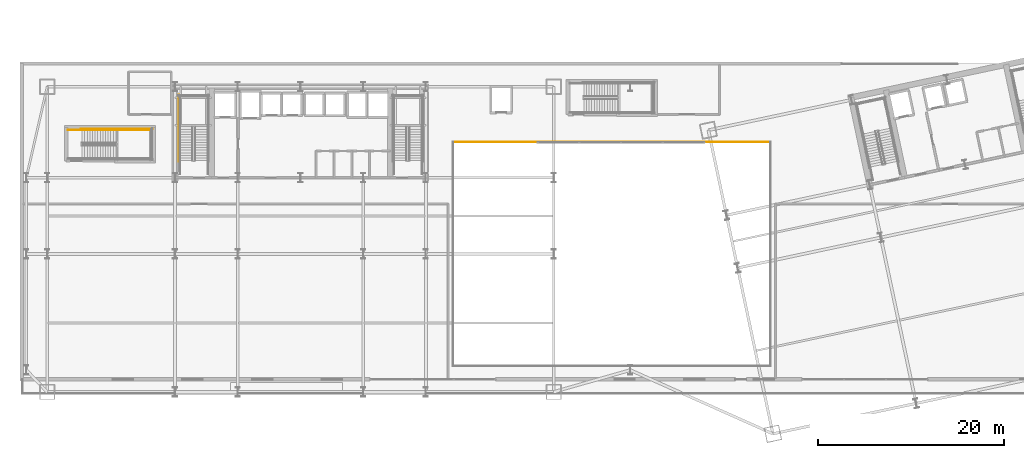
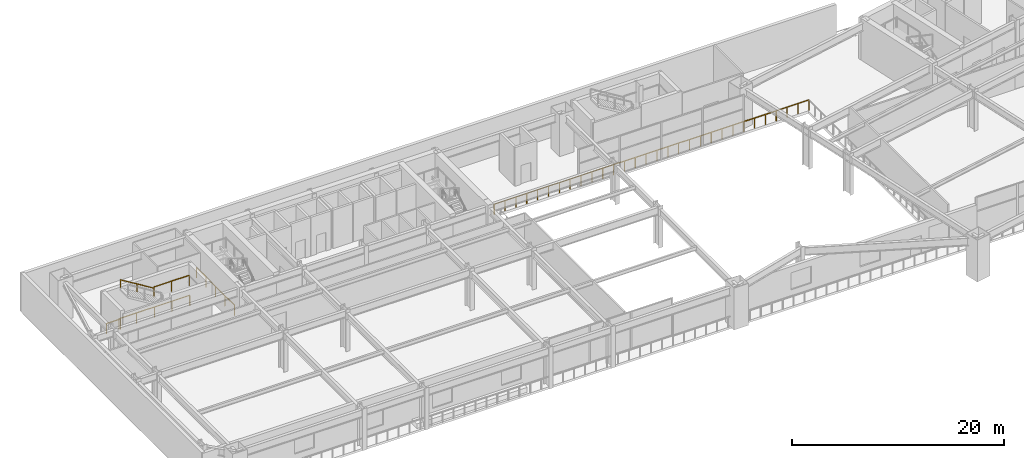
# One storey, part 28 of 35: 6 railings.
"""IFC4 building model written with IfcOpenShell, lengths in metres."""

from ifc_helpers import new_model, si_unit, direction, frame, origin, origin_2d, place, context, subcontext, project, spatial, rectangle, extrude, material, type_object, element, save


model = new_model("IFC4")

# Units and contexts
model_context = context("Model", 3, precision=1e-05, world=origin(), true_north=direction((0.0, 1.0)))
body_context = subcontext(model_context, "Body", "Model", "MODEL_VIEW")
ifc_project = project(units=[si_unit("LENGTHUNIT", "METRE"), si_unit("AREAUNIT", "SQUARE_METRE"), si_unit("VOLUMEUNIT", "CUBIC_METRE"), si_unit("PLANEANGLEUNIT", "RADIAN"), si_unit("MASSUNIT", "GRAM", prefix="KILO")], contexts=[model_context])

# Site, building, storey
site_placement = place(None, origin())
site = spatial("IfcSite", under=ifc_project, at=site_placement, CompositionType="ELEMENT")
building_placement = place(site_placement, origin())
building = spatial("IfcBuilding", under=site, at=building_placement, Name="Haevon Station Towers", CompositionType="ELEMENT")
storey_placement = place(building_placement, frame((0.0, 0.0, 20.39990234375)))
storey = spatial("IfcBuildingStorey", under=building, at=storey_placement, Name="L04", CompositionType="ELEMENT", Elevation=20.39990234375)

# Railings
ifc_material = material(Name="Steel S355", Category="steel")
railing_type_1 = type_object("IfcRailingType", Name="BAL-ATR1200", PredefinedType="BALUSTRADE", material=ifc_material)
railing_1_placement = place(storey_placement, frame((88.09814453125, 42.069091796875, 0.0)))
element("IfcRailing", 1, at=railing_1_placement, inside=storey, type_object=railing_type_1, Name="L04 Atrium Void Balustrade 3", PredefinedType="BALUSTRADE", context=body_context, shape_type="SweptSolid", body=[
    extrude(rectangle(XDim=0.048095703125, YDim=0.048095703125, at=origin_2d()), frame((0.0, 0.0, 1.17578125), z_axis=(-1.0, 0.0, 0.0), x_axis=(0.0, -1.0, 0.0)), (0.0, 0.0, 1.0), 34.1962890625),
    extrude(rectangle(XDim=0.0419921875, YDim=0.0419921875, at=origin_2d()), origin(), (0.0, 0.0, 1.0), 1.15185546875),
    extrude(rectangle(XDim=0.0419921875, YDim=0.0419921875, at=origin_2d()), frame((-1.17919921875, 0.0, 0.0)), (0.0, 0.0, 1.0), 1.15185546875),
    extrude(rectangle(XDim=0.0419921875, YDim=0.0419921875, at=origin_2d()), frame((-2.3583984375, 0.0, 0.0)), (0.0, 0.0, 1.0), 1.15185546875),
    extrude(rectangle(XDim=0.0419921875, YDim=0.0419921875, at=origin_2d()), frame((-3.53759765625, 0.0, 0.0)), (0.0, 0.0, 1.0), 1.15185546875),
    extrude(rectangle(XDim=0.0419921875, YDim=0.0419921875, at=origin_2d()), frame((-4.716796875, 0.0, 0.0)), (0.0, 0.0, 1.0), 1.15185546875),
    extrude(rectangle(XDim=0.0419921875, YDim=0.0419921875, at=origin_2d()), frame((-5.89599609375, 0.0, 0.0)), (0.0, 0.0, 1.0), 1.15185546875),
    extrude(rectangle(XDim=0.0419921875, YDim=0.0419921875, at=origin_2d()), frame((-7.0751953125, 0.0, 0.0)), (0.0, 0.0, 1.0), 1.15185546875),
    extrude(rectangle(XDim=0.0419921875, YDim=0.0419921875, at=origin_2d()), frame((-8.25439453125, 0.0, 0.0)), (0.0, 0.0, 1.0), 1.15185546875),
    extrude(rectangle(XDim=0.0419921875, YDim=0.0419921875, at=origin_2d()), frame((-9.433349609375, 0.0, 0.0)), (0.0, 0.0, 1.0), 1.15185546875),
    extrude(rectangle(XDim=0.0419921875, YDim=0.0419921875, at=origin_2d()), frame((-10.612548828125, 0.0, 0.0)), (0.0, 0.0, 1.0), 1.15185546875),
    extrude(rectangle(XDim=0.0419921875, YDim=0.0419921875, at=origin_2d()), frame((-11.791748046875, 0.0, 0.0)), (0.0, 0.0, 1.0), 1.15185546875),
    extrude(rectangle(XDim=0.0419921875, YDim=0.0419921875, at=origin_2d()), frame((-12.970947265625, 0.0, 0.0)), (0.0, 0.0, 1.0), 1.15185546875),
    extrude(rectangle(XDim=0.0419921875, YDim=0.0419921875, at=origin_2d()), frame((-14.150146484375, 0.0, 0.0)), (0.0, 0.0, 1.0), 1.15185546875),
    extrude(rectangle(XDim=0.0419921875, YDim=0.0419921875, at=origin_2d()), frame((-15.329345703125, 0.0, 0.0)), (0.0, 0.0, 1.0), 1.15185546875),
    extrude(rectangle(XDim=0.0419921875, YDim=0.0419921875, at=origin_2d()), frame((-16.508544921875, 0.0, 0.0)), (0.0, 0.0, 1.0), 1.15185546875),
    extrude(rectangle(XDim=0.0419921875, YDim=0.0419921875, at=origin_2d()), frame((-17.687744140625, 0.0, 0.0)), (0.0, 0.0, 1.0), 1.15185546875),
    extrude(rectangle(XDim=0.0419921875, YDim=0.0419921875, at=origin_2d()), frame((-18.866943359375, 0.0, 0.0)), (0.0, 0.0, 1.0), 1.15185546875),
    extrude(rectangle(XDim=0.0419921875, YDim=0.0419921875, at=origin_2d()), frame((-20.046142578125, 0.0, 0.0)), (0.0, 0.0, 1.0), 1.15185546875),
    extrude(rectangle(XDim=0.0419921875, YDim=0.0419921875, at=origin_2d()), frame((-21.225341796875, 0.0, 0.0)), (0.0, 0.0, 1.0), 1.15185546875),
    extrude(rectangle(XDim=0.0419921875, YDim=0.0419921875, at=origin_2d()), frame((-22.404541015625, 0.0, 0.0)), (0.0, 0.0, 1.0), 1.15185546875),
    extrude(rectangle(XDim=0.0419921875, YDim=0.0419921875, at=origin_2d()), frame((-23.583740234375, 0.0, 0.0)), (0.0, 0.0, 1.0), 1.15185546875),
    extrude(rectangle(XDim=0.0419921875, YDim=0.0419921875, at=origin_2d()), frame((-24.762939453125, 0.0, 0.0)), (0.0, 0.0, 1.0), 1.15185546875),
    extrude(rectangle(XDim=0.0419921875, YDim=0.0419921875, at=origin_2d()), frame((-25.94189453125, 0.0, 0.0)), (0.0, 0.0, 1.0), 1.15185546875),
    extrude(rectangle(XDim=0.0419921875, YDim=0.0419921875, at=origin_2d()), frame((-27.12109375, 0.0, 0.0)), (0.0, 0.0, 1.0), 1.15185546875),
    extrude(rectangle(XDim=0.0419921875, YDim=0.0419921875, at=origin_2d()), frame((-28.30029296875, 0.0, 0.0)), (0.0, 0.0, 1.0), 1.15185546875),
    extrude(rectangle(XDim=0.0419921875, YDim=0.0419921875, at=origin_2d()), frame((-29.4794921875, 0.0, 0.0)), (0.0, 0.0, 1.0), 1.15185546875),
    extrude(rectangle(XDim=0.0419921875, YDim=0.0419921875, at=origin_2d()), frame((-30.65869140625, 0.0, 0.0)), (0.0, 0.0, 1.0), 1.15185546875),
    extrude(rectangle(XDim=0.0419921875, YDim=0.0419921875, at=origin_2d()), frame((-31.837890625, 0.0, 0.0)), (0.0, 0.0, 1.0), 1.15185546875),
    extrude(rectangle(XDim=0.0419921875, YDim=0.0419921875, at=origin_2d()), frame((-33.01708984375, 0.0, 0.0)), (0.0, 0.0, 1.0), 1.15185546875),
    extrude(rectangle(XDim=0.0419921875, YDim=0.0419921875, at=origin_2d()), frame((-34.1962890625, 0.0, 0.0)), (0.0, 0.0, 1.0), 1.15185546875),
])
railing_type_2 = type_object("IfcRailingType", Name="GRD-STR1200", PredefinedType="GUARDRAIL", material=ifc_material)
railing_2_placement = place(storey_placement, frame((24.429931640625, 39.949951171875, 0.0)))
element("IfcRailing", 2, at=railing_2_placement, inside=storey, type_object=railing_type_2, Name="L04 ST1 Stair Guard 11", PredefinedType="GUARDRAIL", context=body_context, shape_type="SweptSolid", body=[
    extrude(rectangle(XDim=0.048095703125, YDim=0.048095703125, at=origin_2d()), frame((0.0, 0.0, 1.17578125), z_axis=(0.0, 1.0, 0.0), x_axis=(-1.0, 0.0, 0.0)), (0.0, 0.0, 1.0), 7.150146484375),
    extrude(rectangle(XDim=0.0419921875, YDim=0.0419921875, at=origin_2d()), origin(), (0.0, 0.0, 1.0), 1.15185546875),
    extrude(rectangle(XDim=0.0419921875, YDim=0.0419921875, at=origin_2d()), frame((0.0, 1.78759765625, 0.0)), (0.0, 0.0, 1.0), 1.15185546875),
    extrude(rectangle(XDim=0.0419921875, YDim=0.0419921875, at=origin_2d()), frame((0.0, 3.5751953125, 0.0)), (0.0, 0.0, 1.0), 1.15185546875),
    extrude(rectangle(XDim=0.0419921875, YDim=0.0419921875, at=origin_2d()), frame((0.0, 5.362548828125, 0.0)), (0.0, 0.0, 1.0), 1.15185546875),
    extrude(rectangle(XDim=0.0419921875, YDim=0.0419921875, at=origin_2d()), frame((0.0, 7.150146484375, 0.0)), (0.0, 0.0, 1.0), 1.15185546875),
])
railing_3_placement = place(storey_placement, frame((17.639892578125, 43.35009765625, 2.400146484375)))
element("IfcRailing", 3, at=railing_3_placement, inside=storey, type_object=railing_type_2, Name="L04 ST5 Stair Guard 4", PredefinedType="GUARDRAIL", context=body_context, shape_type="SweptSolid", body=[
    extrude(rectangle(XDim=0.048095703125, YDim=0.048095703125, at=origin_2d()), frame((0.0, 0.0, 1.17578125), z_axis=(1.0, 0.0, 0.0), x_axis=(0.0, 1.0, 0.0)), (0.0, 0.0, 1.0), 3.860107421875),
    extrude(rectangle(XDim=0.0419921875, YDim=0.0419921875, at=origin_2d()), origin(), (0.0, 0.0, 1.0), 1.15185546875),
    extrude(rectangle(XDim=0.0419921875, YDim=0.0419921875, at=origin_2d()), frame((1.93017578125, 0.0, 0.0)), (0.0, 0.0, 1.0), 1.15185546875),
    extrude(rectangle(XDim=0.0419921875, YDim=0.0419921875, at=origin_2d()), frame((3.860107421875, 0.0, 0.0)), (0.0, 0.0, 1.0), 1.15185546875),
])
railing_4_placement = place(storey_placement, frame((12.5, 43.35009765625, 0.0)))
element("IfcRailing", 4, at=railing_4_placement, inside=storey, type_object=railing_type_2, Name="L04 ST5 Stair Guard 9", PredefinedType="GUARDRAIL", context=body_context, shape_type="SweptSolid", body=[
    extrude(rectangle(XDim=0.048095703125, YDim=0.048095703125, at=origin_2d()), frame((0.0, 0.0, 1.17578125), z_axis=(1.0, 0.0, 0.0), x_axis=(0.0, 1.0, 0.0)), (0.0, 0.0, 1.0), 1.5),
    extrude(rectangle(XDim=0.0419921875, YDim=0.0419921875, at=origin_2d()), origin(), (0.0, 0.0, 1.0), 1.15185546875),
    extrude(rectangle(XDim=0.0419921875, YDim=0.0419921875, at=origin_2d()), frame((1.5, 0.0, 0.0)), (0.0, 0.0, 1.0), 1.15185546875),
])
railing_5_placement = place(storey_placement, frame((13.89990234375, 43.449951171875, 0.0)))
element("IfcRailing", 5, at=railing_5_placement, inside=storey, type_object=railing_type_2, Name="L04 ST5 Stair Guard 11", PredefinedType="GUARDRAIL", context=body_context, shape_type="SweptSolid", body=[
    extrude(rectangle(XDim=0.048095703125, YDim=0.048095703125, at=origin_2d()), frame((0.0, 0.0, 1.17578125), z_axis=(1.0, 0.0, 0.0), x_axis=(0.0, 1.0, 0.0)), (0.0, 0.0, 1.0), 7.7001953125),
    extrude(rectangle(XDim=0.0419921875, YDim=0.0419921875, at=origin_2d()), origin(), (0.0, 0.0, 1.0), 1.15185546875),
    extrude(rectangle(XDim=0.0419921875, YDim=0.0419921875, at=origin_2d()), frame((1.925048828125, 0.0, 0.0)), (0.0, 0.0, 1.0), 1.15185546875),
    extrude(rectangle(XDim=0.0419921875, YDim=0.0419921875, at=origin_2d()), frame((3.85009765625, 0.0, 0.0)), (0.0, 0.0, 1.0), 1.15185546875),
    extrude(rectangle(XDim=0.0419921875, YDim=0.0419921875, at=origin_2d()), frame((5.775146484375, 0.0, 0.0)), (0.0, 0.0, 1.0), 1.15185546875),
    extrude(rectangle(XDim=0.0419921875, YDim=0.0419921875, at=origin_2d()), frame((7.7001953125, 0.0, 0.0)), (0.0, 0.0, 1.0), 1.15185546875),
])
railing_type_3 = type_object("IfcRailingType", Name="HND-STR900", PredefinedType="HANDRAIL", material=ifc_material)
railing_6_placement = place(storey_placement, frame((17.639892578125, 43.35009765625, 2.571533203125)))
element("IfcRailing", 6, at=railing_6_placement, inside=storey, type_object=railing_type_3, Name="L04 ST5 Stair Handrail 2", PredefinedType="HANDRAIL", context=body_context, shape_type="SweptSolid", body=[
    extrude(rectangle(XDim=0.048095703125, YDim=0.048095703125, at=origin_2d()), frame((0.0, 0.0, 0.8759765625), z_axis=(-0.852850264322, 0.0, 0.5221555579), x_axis=(0.0, -1.0, 0.0)), (0.0, 0.0, 1.0), 4.267822265625),
    extrude(rectangle(XDim=0.0419921875, YDim=0.0419921875, at=origin_2d()), origin(), (0.0, 0.0, 1.0), 0.851806640625),
    extrude(rectangle(XDim=0.0419921875, YDim=0.0419921875, at=origin_2d()), frame((-1.81982421875, 0.0, 1.1142578125)), (0.0, 0.0, 1.0), 0.851806640625),
    extrude(rectangle(XDim=0.0419921875, YDim=0.0419921875, at=origin_2d()), frame((-3.639892578125, 0.0, 2.228515625)), (0.0, 0.0, 1.0), 0.851806640625),
])

save(model, "model.ifc")
